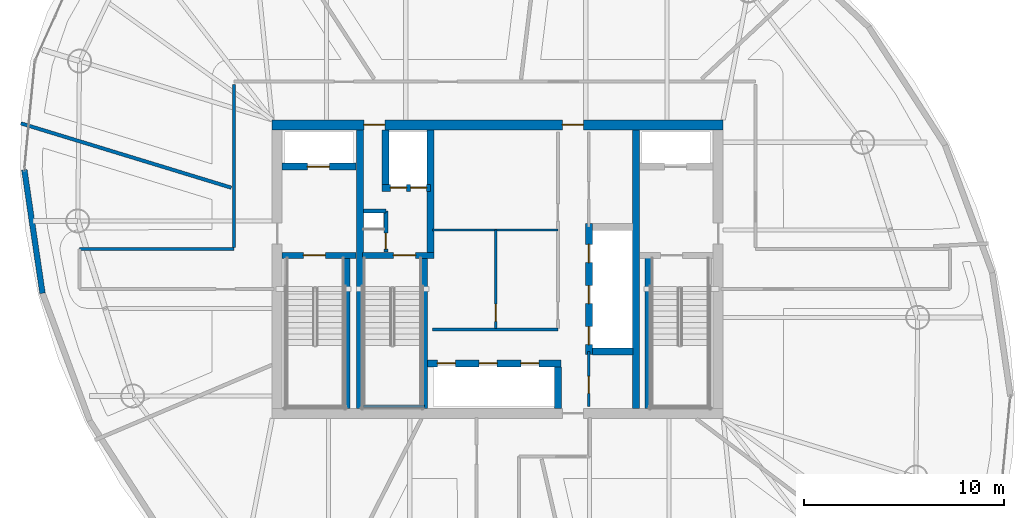
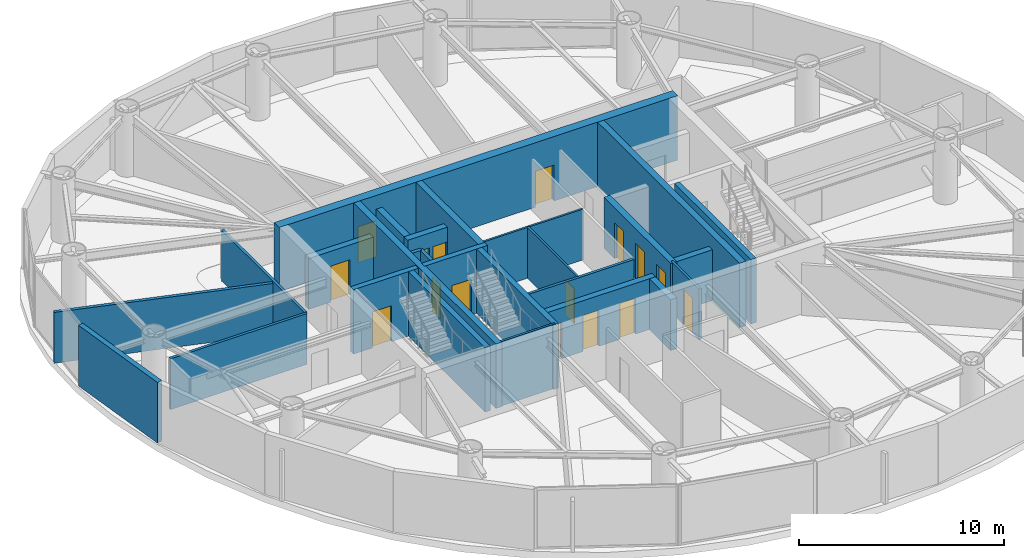
# One storey, part 18 of 25: 27 walls, 16 doors, 16 openings.
"""IFC4 building model written with IfcOpenShell, lengths in metres."""

from ifc_helpers import new_model, si_unit, direction, frame, frame_2d, origin, place, context, subcontext, project, spatial, rectangle, extrude, material, layer, layer_set, type_object, element, fill, save


model = new_model("IFC4")

# Units and contexts
model_context = context("Model", 3, precision=1e-05, world=origin(), true_north=direction((0.0, 1.0)))
body_context = subcontext(model_context, "Body", "Model", "MODEL_VIEW")
ifc_project = project(units=[si_unit("LENGTHUNIT", "METRE"), si_unit("AREAUNIT", "SQUARE_METRE"), si_unit("VOLUMEUNIT", "CUBIC_METRE"), si_unit("PLANEANGLEUNIT", "RADIAN"), si_unit("MASSUNIT", "GRAM", prefix="KILO")], contexts=[model_context])

# Site, building, storey
site_placement = place(None, origin())
site = spatial("IfcSite", under=ifc_project, at=site_placement, CompositionType="ELEMENT")
building_placement = place(site_placement, origin())
building = spatial("IfcBuilding", under=site, at=building_placement, Name="Bramvorn Convention Spire", CompositionType="ELEMENT")
storey_placement = place(building_placement, frame((0.0, 0.0, 171.199951171875)))
storey = spatial("IfcBuildingStorey", under=building, at=storey_placement, Name="L43", CompositionType="ELEMENT", Elevation=171.199951171875)

# Wall, openings, doors
ifc_material_1 = material(Name="Concrete C50/60", Category="concrete")
ifc_layer_1 = layer(ifc_material_1, 0.5)
ifc_layer_set_1 = layer_set([ifc_layer_1], Name="Concrete C50/60 - WL-CORE-500")
wall_type_1 = type_object("IfcWallType", Name="WL-CORE-500", PredefinedType="SHEAR", material=ifc_layer_set_1)
wall_1_placement = place(storey_placement, frame((26.75, 33.199951171875, 0.0), z_axis=(0.0, 0.0, 1.0), x_axis=(1.0, 0.0, 0.0)))
wall_1 = element("IfcWall", 1, at=wall_1_placement, inside=storey, type_object=wall_type_1, Name="L43 North RC core shear wall", PredefinedType="SHEAR", context=body_context, shape_type="SweptSolid", body=[
    extrude(rectangle(XDim=22.5, YDim=0.5, at=frame_2d((11.25, 0.0))), origin(), (0.0, 0.0, 1.0), 3.85009765625),
])
opening_1_placement = place(wall_1_placement, frame((4.570068359375, 0.0, 0.0)))
opening_1 = element("IfcOpeningElement", 2, at=opening_1_placement, cuts=wall_1, Name="Opening DL-105", PredefinedType="OPENING", context=body_context, shape_type="SweptSolid", body=[
    extrude(rectangle(XDim=1.050048828125, YDim=2.14990234375, at=frame_2d((0.52490234375, 1.074951171875))), frame((0.0, 0.260009765625, 0.0), z_axis=(0.0, -1.0, 0.0), x_axis=(1.0, 0.0, 0.0)), (0.0, 0.0, 1.0), 0.52001953125),
])
opening_2_placement = place(wall_1_placement, frame((14.469970703125, 0.0, 0.0)))
opening_2 = element("IfcOpeningElement", 3, at=opening_2_placement, cuts=wall_1, Name="Opening DL-105", PredefinedType="OPENING", context=body_context, shape_type="SweptSolid", body=[
    extrude(rectangle(XDim=1.050048828125, YDim=2.14990234375, at=frame_2d((0.52490234375, 1.074951171875))), frame((0.0, 0.260009765625, 0.0), z_axis=(0.0, -1.0, 0.0), x_axis=(1.0, 0.0, 0.0)), (0.0, 0.0, 1.0), 0.52001953125),
])
ifc_material_2 = material(Name="Smoke-Sealed Fire Lobby Timber-Core Door", Category="wood")
door_type_1 = type_object("IfcDoorType", Name="DR-LOBBY-1050", OperationType="NOTDEFINED", PredefinedType="DOOR", material=ifc_material_2)
door_1_placement = place(opening_1_placement, origin())
door_1 = element("IfcDoor", 4, at=door_1_placement, inside=storey, type_object=door_type_1, Name="L43 Service & Stair ST3 Lobby north corridor door", OperationType="SINGLE_SWING_LEFT", OverallHeight=2.14990234375, OverallWidth=1.050048828125, PredefinedType="DOOR", context=body_context, shape_type="SweptSolid", body=[
    extrude(rectangle(XDim=1.050048828125, YDim=2.14990234375, at=frame_2d((0.52490234375, 1.074951171875))), frame((0.0, 0.02490234375, 0.0), z_axis=(0.0, -1.0, 0.0), x_axis=(1.0, 0.0, 0.0)), (0.0, 0.0, 1.0), 0.050048828125),
])
fill(opening_1, door_1)
door_2_placement = place(opening_2_placement, origin())
door_2 = element("IfcDoor", 5, at=door_2_placement, inside=storey, type_object=door_type_1, Name="L43 North Lift Lobby fire door", OperationType="SINGLE_SWING_LEFT", OverallHeight=2.14990234375, OverallWidth=1.050048828125, PredefinedType="DOOR", context=body_context, shape_type="SweptSolid", body=[
    extrude(rectangle(XDim=1.050048828125, YDim=2.14990234375, at=frame_2d((0.52490234375, 1.074951171875))), frame((0.0, 0.02490234375, 0.0), z_axis=(0.0, -1.0, 0.0), x_axis=(1.0, 0.0, 0.0)), (0.0, 0.0, 1.0), 0.050048828125),
])
fill(opening_2, door_2)

# Walls
ifc_layer_2 = layer(ifc_material_1, 0.35009765625)
ifc_layer_set_2 = layer_set([ifc_layer_2], Name="Concrete C50/60 - WL-CORE-INT-350")
wall_type_2 = type_object("IfcWallType", Name="WL-CORE-INT-350", PredefinedType="SHEAR", material=ifc_layer_set_2)
for number, where, z_axis, x_axis, name in (
    (6, (31.1298828125, 19.050048828125, 0.0), (0.0, 0.0, 1.0), (0.0, 1.0, 0.0), "L43 West internal core shear web"),
    (7, (44.89990234375, 19.050048828125, 0.0), (0.0, 0.0, 1.0), (0.0, 1.0, 0.0), "L43 East internal core shear web"),
):
    element("IfcWall", number, at=place(storey_placement, frame(where, z_axis=z_axis, x_axis=x_axis)), inside=storey, type_object=wall_type_2, Name=name, PredefinedType="SHEAR", context=body_context, shape_type="SweptSolid", body=[
        extrude(rectangle(XDim=13.89990234375, YDim=0.35009765625, at=frame_2d((6.949951171875, 0.0))), origin(), (0.0, 0.0, 1.0), 3.85009765625),
    ])

# Wall, opening, door
wall_2_placement = place(storey_placement, frame((27.25, 31.1201171875, 0.0), z_axis=(0.0, 0.0, 1.0), x_axis=(1.0, 0.0, 0.0)))
wall_2 = element("IfcWall", 8, at=wall_2_placement, inside=storey, type_object=wall_type_2, Name="L43 FE1 shaft front wall", PredefinedType="SHEAR", context=body_context, shape_type="SweptSolid", body=[
    extrude(rectangle(XDim=3.669921875, YDim=0.35009765625, at=frame_2d((1.8349609375, 0.0))), origin(), (0.0, 0.0, 1.0), 3.03515625),
])
opening_3_placement = place(wall_2_placement, frame((1.25, 0.0, 0.0)))
opening_3 = element("IfcOpeningElement", 9, at=opening_3_placement, cuts=wall_2, Name="Opening LD-110", PredefinedType="OPENING", context=body_context, shape_type="SweptSolid", body=[
    extrude(rectangle(XDim=1.10009765625, YDim=2.14990234375, at=frame_2d((0.550048828125, 1.074951171875))), frame((0.0, 0.18505859375, 0.0), z_axis=(0.0, -1.0, 0.0), x_axis=(1.0, 0.0, 0.0)), (0.0, 0.0, 1.0), 0.3701171875),
])
ifc_material_3 = material(Name="Firefighting & Service Lift Sliding Landing Door", Category="steel")
door_type_2 = type_object("IfcDoorType", Name="DR-LIFT-LD-1100", OperationType="NOTDEFINED", PredefinedType="DOOR", material=ifc_material_3)
door_3_placement = place(opening_3_placement, origin())
door_3 = element("IfcDoor", 10, at=door_3_placement, inside=storey, type_object=door_type_2, Name="L43 Lift FE1 Sliding Landing Door", OperationType="SLIDING_TO_LEFT", OverallHeight=2.14990234375, OverallWidth=1.10009765625, PredefinedType="DOOR", context=body_context, shape_type="SweptSolid", body=[
    extrude(rectangle(XDim=1.10009765625, YDim=2.14990234375, at=frame_2d((0.550048828125, 1.074951171875))), frame((0.0, 0.02490234375, 0.0), z_axis=(0.0, -1.0, 0.0), x_axis=(1.0, 0.0, 0.0)), (0.0, 0.0, 1.0), 0.050048828125),
])
fill(opening_3, door_3)

# Wall
wall_3_placement = place(storey_placement, frame((34.639892578125, 26.68994140625, 0.0), z_axis=(0.0, 0.0, 1.0), x_axis=(0.0, 1.0, 0.0)))
element("IfcWall", 11, at=wall_3_placement, inside=storey, type_object=wall_type_2, Name="L43 SV east core shaft wall", PredefinedType="SHEAR", context=body_context, shape_type="SweptSolid", body=[
    extrude(rectangle(XDim=6.260009765625, YDim=0.35009765625, at=frame_2d((3.1298828125, 0.0))), origin(), (0.0, 0.0, 1.0), 3.85009765625),
])

# Wall, openings, doors
wall_4_placement = place(storey_placement, frame((32.22998046875, 30.050048828125, 0.0), z_axis=(0.0, 0.0, 1.0), x_axis=(1.0, 0.0, 0.0)))
wall_4 = element("IfcWall", 12, at=wall_4_placement, inside=storey, type_object=wall_type_2, Name="L43 SV1/SV2 shaft front wall", PredefinedType="SHEAR", context=body_context, shape_type="SweptSolid", body=[
    extrude(rectangle(XDim=2.409912109375, YDim=0.35009765625, at=frame_2d((1.205078125, 0.0))), origin(), (0.0, 0.0, 1.0), 3.03515625),
])
opening_4_placement = place(wall_4_placement, frame((0.419921875, 0.0, 0.0)))
opening_4 = element("IfcOpeningElement", 13, at=opening_4_placement, cuts=wall_4, Name="Opening LD-080", PredefinedType="OPENING", context=body_context, shape_type="SweptSolid", body=[
    extrude(rectangle(XDim=0.800048828125, YDim=2.14990234375, at=frame_2d((0.39990234375, 1.074951171875))), frame((0.0, 0.18505859375, 0.0), z_axis=(0.0, -1.0, 0.0), x_axis=(1.0, 0.0, 0.0)), (0.0, 0.0, 1.0), 0.3701171875),
])
opening_5_placement = place(wall_4_placement, frame((1.419921875, 0.0, 0.0)))
opening_5 = element("IfcOpeningElement", 14, at=opening_5_placement, cuts=wall_4, Name="Opening LD-080", PredefinedType="OPENING", context=body_context, shape_type="SweptSolid", body=[
    extrude(rectangle(XDim=0.800048828125, YDim=2.14990234375, at=frame_2d((0.39990234375, 1.074951171875))), frame((0.0, 0.18505859375, 0.0), z_axis=(0.0, -1.0, 0.0), x_axis=(1.0, 0.0, 0.0)), (0.0, 0.0, 1.0), 0.3701171875),
])
ifc_material_4 = material(Name="Service Lift Bi-Parting Landing Door", Category="steel")
door_type_3 = type_object("IfcDoorType", Name="DR-LIFT-LD-800", OperationType="NOTDEFINED", PredefinedType="DOOR", material=ifc_material_4)
door_4_placement = place(opening_4_placement, origin())
door_4 = element("IfcDoor", 15, at=door_4_placement, inside=storey, type_object=door_type_3, Name="L43 Lift SV1 Sliding Landing Door", OperationType="SLIDING_TO_LEFT", OverallHeight=2.14990234375, OverallWidth=0.800048828125, PredefinedType="DOOR", context=body_context, shape_type="SweptSolid", body=[
    extrude(rectangle(XDim=0.800048828125, YDim=2.14990234375, at=frame_2d((0.39990234375, 1.074951171875))), frame((0.0, 0.02490234375, 0.0), z_axis=(0.0, -1.0, 0.0), x_axis=(1.0, 0.0, 0.0)), (0.0, 0.0, 1.0), 0.050048828125),
])
fill(opening_4, door_4)
door_5_placement = place(opening_5_placement, origin())
door_5 = element("IfcDoor", 16, at=door_5_placement, inside=storey, type_object=door_type_3, Name="L43 Lift SV2 Sliding Landing Door", OperationType="SLIDING_TO_LEFT", OverallHeight=2.14990234375, OverallWidth=0.800048828125, PredefinedType="DOOR", context=body_context, shape_type="SweptSolid", body=[
    extrude(rectangle(XDim=0.800048828125, YDim=2.14990234375, at=frame_2d((0.39990234375, 1.074951171875))), frame((0.0, 0.02490234375, 0.0), z_axis=(0.0, -1.0, 0.0), x_axis=(1.0, 0.0, 0.0)), (0.0, 0.0, 1.0), 0.050048828125),
])
fill(opening_5, door_5)

# Wall
wall_5_placement = place(storey_placement, frame((32.39990234375, 30.219970703125, 0.0), z_axis=(0.0, 0.0, 1.0), x_axis=(0.0, 1.0, 0.0)))
element("IfcWall", 17, at=wall_5_placement, inside=storey, type_object=wall_type_2, Name="L43 SV1 west hoistway wall", PredefinedType="SHEAR", context=body_context, shape_type="SweptSolid", body=[
    extrude(rectangle(XDim=2.72998046875, YDim=0.35009765625, at=frame_2d((1.364990234375, 0.0))), origin(), (0.0, 0.0, 1.0), 3.03515625),
])

# Wall, openings, doors
wall_6_placement = place(storey_placement, frame((42.550048828125, 21.72998046875, 0.0), z_axis=(0.0, 0.0, 1.0), x_axis=(0.0, 1.0, 0.0)))
wall_6 = element("IfcWall", 18, at=wall_6_placement, inside=storey, type_object=wall_type_2, Name="L43 High-rise lift bank west wall", PredefinedType="SHEAR", context=body_context, shape_type="SweptSolid", body=[
    extrude(rectangle(XDim=6.5400390625, YDim=0.35009765625, at=frame_2d((3.27001953125, 0.0))), origin(), (0.0, 0.0, 1.0), 3.03515625),
])
opening_6_placement = place(wall_6_placement, frame((0.5, 0.0, 0.0)))
opening_6 = element("IfcOpeningElement", 19, at=opening_6_placement, cuts=wall_6, Name="Opening LD-090", PredefinedType="OPENING", context=body_context, shape_type="SweptSolid", body=[
    extrude(rectangle(XDim=0.89990234375, YDim=2.14990234375, at=frame_2d((0.449951171875, 1.074951171875))), frame((0.0, 0.18505859375, 0.0), z_axis=(0.0, -1.0, 0.0), x_axis=(1.0, 0.0, 0.0)), (0.0, 0.0, 1.0), 0.3701171875),
])
opening_7_placement = place(wall_6_placement, frame((2.550048828125, 0.0, 0.0)))
opening_7 = element("IfcOpeningElement", 20, at=opening_7_placement, cuts=wall_6, Name="Opening LD-090", PredefinedType="OPENING", context=body_context, shape_type="SweptSolid", body=[
    extrude(rectangle(XDim=0.89990234375, YDim=2.14990234375, at=frame_2d((0.449951171875, 1.074951171875))), frame((0.0, 0.18505859375, 0.0), z_axis=(0.0, -1.0, 0.0), x_axis=(1.0, 0.0, 0.0)), (0.0, 0.0, 1.0), 0.3701171875),
])
opening_8_placement = place(wall_6_placement, frame((4.60009765625, 0.0, 0.0)))
opening_8 = element("IfcOpeningElement", 21, at=opening_8_placement, cuts=wall_6, Name="Opening LD-090", PredefinedType="OPENING", context=body_context, shape_type="SweptSolid", body=[
    extrude(rectangle(XDim=0.89990234375, YDim=2.14990234375, at=frame_2d((0.449951171875, 1.074951171875))), frame((0.0, 0.18505859375, 0.0), z_axis=(0.0, -1.0, 0.0), x_axis=(1.0, 0.0, 0.0)), (0.0, 0.0, 1.0), 0.3701171875),
])
ifc_material_5 = material(Name="Bi-Parting Fire-Rated Lift Landing Door", Category="steel")
door_type_4 = type_object("IfcDoorType", Name="DR-LIFT-LD-900", OperationType="NOTDEFINED", PredefinedType="DOOR", material=ifc_material_5)
door_6_placement = place(opening_6_placement, origin())
door_6 = element("IfcDoor", 22, at=door_6_placement, inside=storey, type_object=door_type_4, Name="L43 Lift PH1 Sliding Landing Door", OperationType="SLIDING_TO_LEFT", OverallHeight=2.14990234375, OverallWidth=0.89990234375, PredefinedType="DOOR", context=body_context, shape_type="SweptSolid", body=[
    extrude(rectangle(XDim=0.89990234375, YDim=2.14990234375, at=frame_2d((0.449951171875, 1.074951171875))), frame((0.0, 0.02490234375, 0.0), z_axis=(0.0, -1.0, 0.0), x_axis=(1.0, 0.0, 0.0)), (0.0, 0.0, 1.0), 0.050048828125),
])
fill(opening_6, door_6)
door_7_placement = place(opening_7_placement, origin())
door_7 = element("IfcDoor", 23, at=door_7_placement, inside=storey, type_object=door_type_4, Name="L43 Lift PH2 Sliding Landing Door", OperationType="SLIDING_TO_LEFT", OverallHeight=2.14990234375, OverallWidth=0.89990234375, PredefinedType="DOOR", context=body_context, shape_type="SweptSolid", body=[
    extrude(rectangle(XDim=0.89990234375, YDim=2.14990234375, at=frame_2d((0.449951171875, 1.074951171875))), frame((0.0, 0.02490234375, 0.0), z_axis=(0.0, -1.0, 0.0), x_axis=(1.0, 0.0, 0.0)), (0.0, 0.0, 1.0), 0.050048828125),
])
fill(opening_7, door_7)
door_8_placement = place(opening_8_placement, origin())
door_8 = element("IfcDoor", 24, at=door_8_placement, inside=storey, type_object=door_type_4, Name="L43 Lift PH3 Sliding Landing Door", OperationType="SLIDING_TO_LEFT", OverallHeight=2.14990234375, OverallWidth=0.89990234375, PredefinedType="DOOR", context=body_context, shape_type="SweptSolid", body=[
    extrude(rectangle(XDim=0.89990234375, YDim=2.14990234375, at=frame_2d((0.449951171875, 1.074951171875))), frame((0.0, 0.02490234375, 0.0), z_axis=(0.0, -1.0, 0.0), x_axis=(1.0, 0.0, 0.0)), (0.0, 0.0, 1.0), 0.050048828125),
])
fill(opening_8, door_8)

# Wall
wall_7_placement = place(storey_placement, frame((42.719970703125, 21.89990234375, 0.0), z_axis=(0.0, 0.0, 1.0), x_axis=(1.0, 0.0, 0.0)))
element("IfcWall", 25, at=wall_7_placement, inside=storey, type_object=wall_type_2, Name="L43 High-rise lift bank south wall", PredefinedType="SHEAR", context=body_context, shape_type="SweptSolid", body=[
    extrude(rectangle(XDim=2.030029296875, YDim=0.35009765625, at=frame_2d((1.01513671875, 0.0))), origin(), (0.0, 0.0, 1.0), 3.03515625),
])

# Wall, openings, doors
wall_8_placement = place(storey_placement, frame((34.489990234375, 21.300048828125, 0.0), z_axis=(0.0, 0.0, 1.0), x_axis=(1.0, 0.0, 0.0)))
wall_8 = element("IfcWall", 26, at=wall_8_placement, inside=storey, type_object=wall_type_2, Name="L43 Mid-rise bank north landing wall", PredefinedType="SHEAR", context=body_context, shape_type="SweptSolid", body=[
    extrude(rectangle(XDim=6.679931640625, YDim=0.35009765625, at=frame_2d((3.33984375, 0.0))), origin(), (0.0, 0.0, 1.0), 3.03515625),
])
opening_9_placement = place(wall_8_placement, frame((0.5, 0.0, 0.0)))
opening_9 = element("IfcOpeningElement", 27, at=opening_9_placement, cuts=wall_8, Name="Opening LD-090", PredefinedType="OPENING", context=body_context, shape_type="SweptSolid", body=[
    extrude(rectangle(XDim=0.89990234375, YDim=2.14990234375, at=frame_2d((0.449951171875, 1.074951171875))), frame((0.0, 0.18505859375, 0.0), z_axis=(0.0, -1.0, 0.0), x_axis=(1.0, 0.0, 0.0)), (0.0, 0.0, 1.0), 0.3701171875),
])
opening_10_placement = place(wall_8_placement, frame((2.580078125, 0.0, 0.0)))
opening_10 = element("IfcOpeningElement", 28, at=opening_10_placement, cuts=wall_8, Name="Opening LD-090", PredefinedType="OPENING", context=body_context, shape_type="SweptSolid", body=[
    extrude(rectangle(XDim=0.89990234375, YDim=2.14990234375, at=frame_2d((0.449951171875, 1.074951171875))), frame((0.0, 0.18505859375, 0.0), z_axis=(0.0, -1.0, 0.0), x_axis=(1.0, 0.0, 0.0)), (0.0, 0.0, 1.0), 0.3701171875),
])
opening_11_placement = place(wall_8_placement, frame((4.659912109375, 0.0, 0.0)))
opening_11 = element("IfcOpeningElement", 29, at=opening_11_placement, cuts=wall_8, Name="Opening LD-090", PredefinedType="OPENING", context=body_context, shape_type="SweptSolid", body=[
    extrude(rectangle(XDim=0.89990234375, YDim=2.14990234375, at=frame_2d((0.449951171875, 1.074951171875))), frame((0.0, 0.18505859375, 0.0), z_axis=(0.0, -1.0, 0.0), x_axis=(1.0, 0.0, 0.0)), (0.0, 0.0, 1.0), 0.3701171875),
])
door_9_placement = place(opening_9_placement, origin())
door_9 = element("IfcDoor", 30, at=door_9_placement, inside=storey, type_object=door_type_4, Name="L43 Lift PM1 Sliding Landing Door", OperationType="SLIDING_TO_LEFT", OverallHeight=2.14990234375, OverallWidth=0.89990234375, PredefinedType="DOOR", context=body_context, shape_type="SweptSolid", body=[
    extrude(rectangle(XDim=0.89990234375, YDim=2.14990234375, at=frame_2d((0.449951171875, 1.074951171875))), frame((0.0, 0.02490234375, 0.0), z_axis=(0.0, -1.0, 0.0), x_axis=(1.0, 0.0, 0.0)), (0.0, 0.0, 1.0), 0.050048828125),
])
fill(opening_9, door_9)
door_10_placement = place(opening_10_placement, origin())
door_10 = element("IfcDoor", 31, at=door_10_placement, inside=storey, type_object=door_type_4, Name="L43 Lift PM2 Sliding Landing Door", OperationType="SLIDING_TO_LEFT", OverallHeight=2.14990234375, OverallWidth=0.89990234375, PredefinedType="DOOR", context=body_context, shape_type="SweptSolid", body=[
    extrude(rectangle(XDim=0.89990234375, YDim=2.14990234375, at=frame_2d((0.449951171875, 1.074951171875))), frame((0.0, 0.02490234375, 0.0), z_axis=(0.0, -1.0, 0.0), x_axis=(1.0, 0.0, 0.0)), (0.0, 0.0, 1.0), 0.050048828125),
])
fill(opening_10, door_10)
door_11_placement = place(opening_11_placement, origin())
door_11 = element("IfcDoor", 32, at=door_11_placement, inside=storey, type_object=door_type_4, Name="L43 Lift PM3 Sliding Landing Door", OperationType="SLIDING_TO_LEFT", OverallHeight=2.14990234375, OverallWidth=0.89990234375, PredefinedType="DOOR", context=body_context, shape_type="SweptSolid", body=[
    extrude(rectangle(XDim=0.89990234375, YDim=2.14990234375, at=frame_2d((0.449951171875, 1.074951171875))), frame((0.0, 0.02490234375, 0.0), z_axis=(0.0, -1.0, 0.0), x_axis=(1.0, 0.0, 0.0)), (0.0, 0.0, 1.0), 0.050048828125),
])
fill(opening_11, door_11)

# Walls
wall_9_placement = place(storey_placement, frame((41.0, 19.050048828125, 0.0), z_axis=(0.0, 0.0, 1.0), x_axis=(0.0, 1.0, 0.0)))
element("IfcWall", 33, at=wall_9_placement, inside=storey, type_object=wall_type_2, Name="L43 Mid-rise bank east cheek wall", PredefinedType="SHEAR", context=body_context, shape_type="SweptSolid", body=[
    extrude(rectangle(XDim=2.079833984375, YDim=0.35009765625, at=frame_2d((1.0400390625, 0.0))), origin(), (0.0, 0.0, 1.0), 3.03515625),
])
ifc_material_6 = material(Name="Precast Concrete C40/50 with Bronze Terracotta Rainscreen", Category="masonry")
ifc_layer_3 = layer(ifc_material_6, 0.300048828125)
ifc_layer_set_3 = layer_set([ifc_layer_3], Name="Precast Concrete C40/50 with Bronze Terracotta Rainscreen - WL-EXT-BRONZE-300")
wall_type_3 = type_object("IfcWallType", Name="WL-EXT-BRONZE-300", PredefinedType="SOLIDWALL", material=ifc_layer_set_3)
wall_10_placement = place(storey_placement, frame((15.289306640625, 24.798583984375, 0.0), z_axis=(0.0, 0.0, 1.0), x_axis=(-0.145586553234, 0.989345518774, 0.0)))
element("IfcWall", 34, at=wall_10_placement, inside=storey, type_object=wall_type_3, Name="L43 expressed bronze Gothic lancet pier wall 15", PredefinedType="SOLIDWALL", context=body_context, shape_type="SweptSolid", body=[
    extrude(rectangle(XDim=6.2265625, YDim=0.280029296875, at=frame_2d((3.11328125, 0.0))), origin(), (0.0, 0.0, 1.0), 3.6201171875),
])
ifc_material_7 = material(Name="Lightweight En-Suite & Wet-Wall Partition", Category="gypsum")
ifc_layer_4 = layer(ifc_material_7, 0.110107421875)
ifc_layer_set_4 = layer_set([ifc_layer_4], Name="Lightweight En-Suite & Wet-Wall Partition - WL-PART-110")
wall_type_4 = type_object("IfcWallType", Name="WL-PART-110", PredefinedType="PARTITIONING", material=ifc_layer_set_4)
wall_11_placement = place(storey_placement, frame((34.75, 27.949951171875, 0.0), z_axis=(0.0, 0.0, 1.0), x_axis=(1.0, 0.0, 0.0)))
element("IfcWall", 35, at=wall_11_placement, inside=storey, type_object=wall_type_4, Name="L43 KA horizontal core divider", PredefinedType="PARTITIONING", context=body_context, shape_type="SweptSolid", body=[
    extrude(rectangle(XDim=6.25, YDim=0.110107421875, at=frame_2d((3.125, 0.0))), origin(), (0.0, 0.0, 1.0), 3.03515625),
])

# Wall, opening, door
wall_12_placement = place(storey_placement, frame((37.89990234375, 23.050048828125, 0.0), z_axis=(0.0, 0.0, 1.0), x_axis=(0.0, 1.0, 0.0)))
wall_12 = element("IfcWall", 36, at=wall_12_placement, inside=storey, type_object=wall_type_4, Name="L43 KA restroom subwall", PredefinedType="PARTITIONING", context=body_context, shape_type="SweptSolid", body=[
    extrude(rectangle(XDim=4.89990234375, YDim=0.110107421875, at=frame_2d((2.449951171875, 0.0))), origin(), (0.0, 0.0, 1.0), 3.03515625),
])
opening_12_placement = place(wall_12_placement, frame((0.35009765625, 0.0, 0.0)))
opening_12 = element("IfcOpeningElement", 37, at=opening_12_placement, cuts=wall_12, Name="Opening DC-085", PredefinedType="OPENING", context=body_context, shape_type="SweptSolid", body=[
    extrude(rectangle(XDim=0.85009765625, YDim=2.10009765625, at=frame_2d((0.425048828125, 1.050048828125))), frame((0.0, 0.06494140625, 0.0), z_axis=(0.0, -1.0, 0.0), x_axis=(1.0, 0.0, 0.0)), (0.0, 0.0, 1.0), 0.130126953125),
])
ifc_material_8 = material(Name="Fire-Rated Core Washroom & IDF Door", Category="wood")
door_type_5 = type_object("IfcDoorType", Name="DR-CORE-850", OperationType="NOTDEFINED", PredefinedType="DOOR", material=ifc_material_8)
door_12_placement = place(opening_12_placement, origin())
door_12 = element("IfcDoor", 38, at=door_12_placement, inside=storey, type_object=door_type_5, Name="L43 Core IT Closet door", OperationType="SINGLE_SWING_LEFT", OverallHeight=2.10009765625, OverallWidth=0.85009765625, PredefinedType="DOOR", context=body_context, shape_type="SweptSolid", body=[
    extrude(rectangle(XDim=0.85009765625, YDim=2.10009765625, at=frame_2d((0.425048828125, 1.050048828125))), frame((0.0, 0.02490234375, 0.0), z_axis=(0.0, -1.0, 0.0), x_axis=(1.0, 0.0, 0.0)), (0.0, 0.0, 1.0), 0.050048828125),
])
fill(opening_12, door_12)

ifc_material_9 = material(Name="Metal-Stud Demountable Office Partition", Category="gypsum")
ifc_layer_5 = layer(ifc_material_9, 0.1298828125)
ifc_layer_set_5 = layer_set([ifc_layer_5], Name="Metal-Stud Demountable Office Partition - WL-PART-130")
wall_type_5 = type_object("IfcWallType", Name="WL-PART-130", PredefinedType="PARTITIONING", material=ifc_layer_set_5)
wall_13_placement = place(storey_placement, frame((42.550048828125, 19.14990234375, 0.0), z_axis=(0.0, 0.0, 1.0), x_axis=(0.0, 1.0, 0.0)))
wall_13 = element("IfcWall", 39, at=wall_13_placement, inside=storey, type_object=wall_type_5, Name="L43 KA SE store wall", PredefinedType="PARTITIONING", context=body_context, shape_type="SweptSolid", body=[
    extrude(rectangle(XDim=2.75, YDim=0.1298828125, at=frame_2d((1.375, 0.0))), origin(), (0.0, 0.0, 1.0), 3.03515625),
])
opening_13_placement = place(wall_13_placement, frame((0.64990234375, 0.0, 0.0)))
opening_13 = element("IfcOpeningElement", 40, at=opening_13_placement, cuts=wall_13, Name="Opening DC-085", PredefinedType="OPENING", context=body_context, shape_type="SweptSolid", body=[
    extrude(rectangle(XDim=0.85009765625, YDim=2.10009765625, at=frame_2d((0.425048828125, 1.050048828125))), frame((0.0, 0.074951171875, 0.0), z_axis=(0.0, -1.0, 0.0), x_axis=(1.0, 0.0, 0.0)), (0.0, 0.0, 1.0), 0.14990234375),
])
door_13_placement = place(opening_13_placement, origin())
door_13 = element("IfcDoor", 41, at=door_13_placement, inside=storey, type_object=door_type_5, Name="L43 Tenant Pantry & Copy Centre door", OperationType="SINGLE_SWING_LEFT", OverallHeight=2.10009765625, OverallWidth=0.85009765625, PredefinedType="DOOR", context=body_context, shape_type="SweptSolid", body=[
    extrude(rectangle(XDim=0.85009765625, YDim=2.10009765625, at=frame_2d((0.425048828125, 1.050048828125))), frame((0.0, 0.02490234375, 0.0), z_axis=(0.0, -1.0, 0.0), x_axis=(1.0, 0.0, 0.0)), (0.0, 0.0, 1.0), 0.050048828125),
])
fill(opening_13, door_13)

# Walls
ifc_material_10 = material(Name="Acoustic Metal-Stud Tenant/Corridor Partition", Category="gypsum")
ifc_layer_6 = layer(ifc_material_10, 0.14990234375)
ifc_layer_set_6 = layer_set([ifc_layer_6], Name="Acoustic Metal-Stud Tenant/Corridor Partition - WL-PART-150")
wall_type_6 = type_object("IfcWallType", Name="WL-PART-150", PredefinedType="PARTITIONING", material=ifc_layer_set_6)
wall_14_placement = place(storey_placement, frame((34.75, 23.0, 0.0), z_axis=(0.0, 0.0, 1.0), x_axis=(1.0, 0.0, 0.0)))
element("IfcWall", 42, at=wall_14_placement, inside=storey, type_object=wall_type_6, Name="L43 Mid-rise lift vestibule north wall", PredefinedType="PARTITIONING", context=body_context, shape_type="SweptSolid", body=[
    extrude(rectangle(XDim=6.25, YDim=0.14990234375, at=frame_2d((3.125, 0.0))), origin(), (0.0, 0.0, 1.0), 3.03515625),
])
wall_15_placement = place(storey_placement, frame((24.85009765625, 27.080078125, 0.0), z_axis=(0.0, 0.0, 1.0), x_axis=(0.0, 1.0, 0.0)))
element("IfcWall", 43, at=wall_15_placement, inside=storey, type_object=wall_type_6, Name="L43 NW gallery cheek", PredefinedType="PARTITIONING", context=body_context, shape_type="SweptSolid", body=[
    extrude(rectangle(XDim=8.119873046875, YDim=0.14990234375, at=frame_2d((4.06005859375, 0.0))), origin(), (0.0, 0.0, 1.0), 3.03515625),
])
wall_16_placement = place(storey_placement, frame((17.130615234375, 27.0, 0.0), z_axis=(0.0, 0.0, 1.0), x_axis=(1.0, 0.0, 0.0)))
element("IfcWall", 44, at=wall_16_placement, inside=storey, type_object=wall_type_6, Name="L43 West wing spine north wall", PredefinedType="PARTITIONING", context=body_context, shape_type="SweptSolid", body=[
    extrude(rectangle(XDim=7.719482421875, YDim=0.14990234375, at=frame_2d((3.85986328125, 0.0))), origin(), (0.0, 0.0, 1.0), 3.03515625),
])
ifc_material_11 = material(Name="Double-Stud Acoustic Hotel/Suite Partition", Category="gypsum")
ifc_layer_7 = layer(ifc_material_11, 0.175048828125)
ifc_layer_set_7 = layer_set([ifc_layer_7], Name="Double-Stud Acoustic Hotel/Suite Partition - WL-PART-175")
wall_type_7 = type_object("IfcWallType", Name="WL-PART-175", PredefinedType="PARTITIONING", material=ifc_layer_set_7)
wall_17_placement = place(storey_placement, frame((24.7099609375, 30.063232421875, 0.0), z_axis=(0.0, 0.0, 1.0), x_axis=(-0.956305303445, 0.292369913984, 0.0)))
element("IfcWall", 45, at=wall_17_placement, inside=storey, type_object=wall_type_7, Name="L43 Tenant suite partition 5", PredefinedType="PARTITIONING", context=body_context, shape_type="SweptSolid", body=[
    extrude(rectangle(XDim=10.980712890625, YDim=0.175048828125, at=frame_2d((5.490234375, 0.0))), origin(), (0.0, 0.0, 1.0), 3.03515625),
])

# Wall, opening, door
ifc_material_12 = material(Name="Gypsum Shaftwall & Rockwool Core Partition", Category="gypsum")
ifc_layer_8 = layer(ifc_material_12, 0.199951171875)
ifc_layer_set_8 = layer_set([ifc_layer_8], Name="Gypsum Shaftwall & Rockwool Core Partition - WL-PART-200-FR")
wall_type_8 = type_object("IfcWallType", Name="WL-PART-200-FR", PredefinedType="PARTITIONING", material=ifc_layer_set_8)
wall_18_placement = place(storey_placement, frame((32.419921875, 26.860107421875, 0.0), z_axis=(0.0, 0.0, 1.0), x_axis=(0.0, 1.0, 0.0)))
wall_18 = element("IfcWall", 46, at=wall_18_placement, inside=storey, type_object=wall_type_8, Name="L43 Telecom riser east wall", PredefinedType="PARTITIONING", context=body_context, shape_type="SweptSolid", body=[
    extrude(rectangle(XDim=2.039794921875, YDim=0.199951171875, at=frame_2d((1.02001953125, 0.0))), origin(), (0.0, 0.0, 1.0), 3.03515625),
])
opening_14_placement = place(wall_18_placement, frame((0.139892578125, 0.0, 0.0)))
opening_14 = element("IfcOpeningElement", 47, at=opening_14_placement, cuts=wall_18, Name="Opening DR-080", PredefinedType="OPENING", context=body_context, shape_type="SweptSolid", body=[
    extrude(rectangle(XDim=0.800048828125, YDim=2.050048828125, at=frame_2d((0.39990234375, 1.02490234375))), frame((0.0, 0.10986328125, 0.0), z_axis=(0.0, -1.0, 0.0), x_axis=(1.0, 0.0, 0.0)), (0.0, 0.0, 1.0), 0.219970703125),
])
ifc_material_13 = material(Name="Flush Steel Riser Access Door", Category="steel")
door_type_6 = type_object("IfcDoorType", Name="DR-RISER-800", OperationType="NOTDEFINED", PredefinedType="DOOR", material=ifc_material_13)
door_14_placement = place(opening_14_placement, origin())
door_14 = element("IfcDoor", 48, at=door_14_placement, inside=storey, type_object=door_type_6, Name="L43 Telecom riser access door", OperationType="SINGLE_SWING_RIGHT", OverallHeight=2.050048828125, OverallWidth=0.800048828125, PredefinedType="DOOR", context=body_context, shape_type="SweptSolid", body=[
    extrude(rectangle(XDim=0.800048828125, YDim=2.050048828125, at=frame_2d((0.39990234375, 1.02490234375))), frame((0.0, 0.02490234375, 0.0), z_axis=(0.0, -1.0, 0.0), x_axis=(1.0, 0.0, 0.0)), (0.0, 0.0, 1.0), 0.050048828125),
])
fill(opening_14, door_14)

# Wall
wall_19_placement = place(storey_placement, frame((31.300048828125, 28.89990234375, 0.0), z_axis=(0.0, 0.0, 1.0), x_axis=(1.0, 0.0, 0.0)))
element("IfcWall", 49, at=wall_19_placement, inside=storey, type_object=wall_type_8, Name="L43 Telecom riser north wall", PredefinedType="PARTITIONING", context=body_context, shape_type="SweptSolid", body=[
    extrude(rectangle(XDim=1.119873046875, YDim=0.199951171875, at=frame_2d((0.56005859375, 0.0))), origin(), (0.0, 0.0, 1.0), 3.03515625),
])

# Wall, opening, door
ifc_layer_9 = layer(ifc_material_1, 0.300048828125)
ifc_layer_set_9 = layer_set([ifc_layer_9], Name="Concrete C50/60 - WL-POD-STAIR-300")
wall_type_9 = type_object("IfcWallType", Name="WL-POD-STAIR-300", PredefinedType="SHEAR", material=ifc_layer_set_9)
wall_20_placement = place(storey_placement, frame((27.25, 26.68994140625, 0.0), z_axis=(0.0, 0.0, 1.0), x_axis=(1.0, 0.0, 0.0)))
wall_20 = element("IfcWall", 50, at=wall_20_placement, inside=storey, type_object=wall_type_9, Name="L43 ST1 north fire wall", PredefinedType="SHEAR", context=body_context, shape_type="SweptSolid", body=[
    extrude(rectangle(XDim=3.669921875, YDim=0.300048828125, at=frame_2d((1.8349609375, 0.0))), origin(), (0.0, 0.0, 1.0), 3.85009765625),
])
opening_15_placement = place(wall_20_placement, frame((1.050048828125, 0.0, 0.0)))
opening_15 = element("IfcOpeningElement", 51, at=opening_15_placement, cuts=wall_20, Name="Opening DS-110", PredefinedType="OPENING", context=body_context, shape_type="SweptSolid", body=[
    extrude(rectangle(XDim=1.10009765625, YDim=2.14990234375, at=frame_2d((0.550048828125, 1.074951171875))), frame((0.0, 0.159912109375, 0.0), z_axis=(0.0, -1.0, 0.0), x_axis=(1.0, 0.0, 0.0)), (0.0, 0.0, 1.0), 0.320068359375),
])
ifc_material_14 = material(Name="Fire-Rated Hollow Steel Stairwell Door", Category="steel")
door_type_7 = type_object("IfcDoorType", Name="DR-STAIR-1100", OperationType="NOTDEFINED", PredefinedType="DOOR", material=ifc_material_14)
door_15_placement = place(opening_15_placement, origin())
door_15 = element("IfcDoor", 52, at=door_15_placement, inside=storey, type_object=door_type_7, Name="L43 Stair ST1 fire door", OperationType="SINGLE_SWING_LEFT", OverallHeight=2.14990234375, OverallWidth=1.10009765625, PredefinedType="DOOR", context=body_context, shape_type="SweptSolid", body=[
    extrude(rectangle(XDim=1.10009765625, YDim=2.14990234375, at=frame_2d((0.550048828125, 1.074951171875))), frame((0.0, 0.02490234375, 0.0), z_axis=(0.0, -1.0, 0.0), x_axis=(1.0, 0.0, 0.0)), (0.0, 0.0, 1.0), 0.050048828125),
])
fill(opening_15, door_15)

# Walls
for number, where, z_axis, x_axis, name in (
    (53, (30.489990234375, 19.050048828125, 0.0), (0.0, 0.0, 1.0), (0.0, 1.0, 0.0), "L43 ST1 east bearing wall"),
    (54, (45.510009765625, 19.050048828125, 0.0), (0.0, 0.0, 1.0), (0.0, 1.0, 0.0), "L43 ST2 west bearing wall"),
    (55, (34.340087890625, 19.050048828125, 0.0), (0.0, 0.0, 1.0), (0.0, 1.0, 0.0), "L43 ST3 east bearing wall"),
):
    element("IfcWall", number, at=place(storey_placement, frame(where, z_axis=z_axis, x_axis=x_axis)), inside=storey, type_object=wall_type_9, Name=name, PredefinedType="SHEAR", context=body_context, shape_type="SweptSolid", body=[
        extrude(rectangle(XDim=7.5, YDim=0.300048828125, at=frame_2d((3.75, 0.0))), origin(), (0.0, 0.0, 1.0), 3.85009765625),
    ])

# Wall, opening, door
wall_21_placement = place(storey_placement, frame((31.25, 26.68994140625, 0.0), z_axis=(0.0, 0.0, 1.0), x_axis=(1.0, 0.0, 0.0)))
wall_21 = element("IfcWall", 56, at=wall_21_placement, inside=storey, type_object=wall_type_9, Name="L43 ST3 north lobby wall", PredefinedType="SHEAR", context=body_context, shape_type="SweptSolid", body=[
    extrude(rectangle(XDim=3.56005859375, YDim=0.300048828125, at=frame_2d((1.780029296875, 0.0))), origin(), (0.0, 0.0, 1.0), 3.85009765625),
])
opening_16_placement = place(wall_21_placement, frame((1.550048828125, 0.0, 0.0)))
opening_16 = element("IfcOpeningElement", 57, at=opening_16_placement, cuts=wall_21, Name="Opening DS-110", PredefinedType="OPENING", context=body_context, shape_type="SweptSolid", body=[
    extrude(rectangle(XDim=1.10009765625, YDim=2.14990234375, at=frame_2d((0.550048828125, 1.074951171875))), frame((0.0, 0.159912109375, 0.0), z_axis=(0.0, -1.0, 0.0), x_axis=(1.0, 0.0, 0.0)), (0.0, 0.0, 1.0), 0.320068359375),
])
door_16_placement = place(opening_16_placement, origin())
door_16 = element("IfcDoor", 58, at=door_16_placement, inside=storey, type_object=door_type_7, Name="L43 Stair ST3 fire door", OperationType="SINGLE_SWING_LEFT", OverallHeight=2.14990234375, OverallWidth=1.10009765625, PredefinedType="DOOR", context=body_context, shape_type="SweptSolid", body=[
    extrude(rectangle(XDim=1.10009765625, YDim=2.14990234375, at=frame_2d((0.550048828125, 1.074951171875))), frame((0.0, 0.02490234375, 0.0), z_axis=(0.0, -1.0, 0.0), x_axis=(1.0, 0.0, 0.0)), (0.0, 0.0, 1.0), 0.050048828125),
])
fill(opening_16, door_16)

# Wall
ifc_layer_10 = layer(ifc_material_1, 0.1201171875)
ifc_layer_set_10 = layer_set([ifc_layer_10], Name="Concrete C50/60 - WL-STAIR-RC-120")
wall_type_10 = type_object("IfcWallType", Name="WL-STAIR-RC-120", PredefinedType="SHEAR", material=ifc_layer_set_10)
wall_22_placement = place(storey_placement, frame((31.300048828125, 19.159912109375, 0.0), z_axis=(0.0, 0.0, 1.0), x_axis=(1.0, 0.0, 0.0)))
element("IfcWall", 59, at=wall_22_placement, inside=storey, type_object=wall_type_10, Name="L43 ST3 south bearing shear wall", PredefinedType="SHEAR", context=body_context, shape_type="SweptSolid", body=[
    extrude(rectangle(XDim=3.0400390625, YDim=0.1201171875, at=frame_2d((1.52001953125, 0.0))), origin(), (0.0, 0.0, 1.0), 3.85009765625),
])

save(model, "model.ifc")
